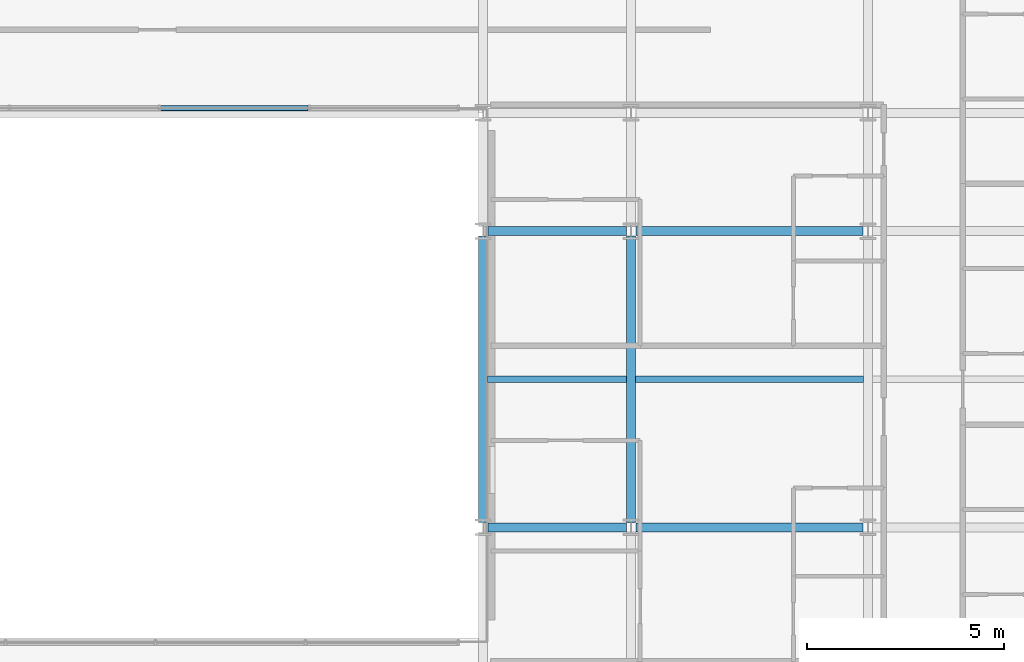
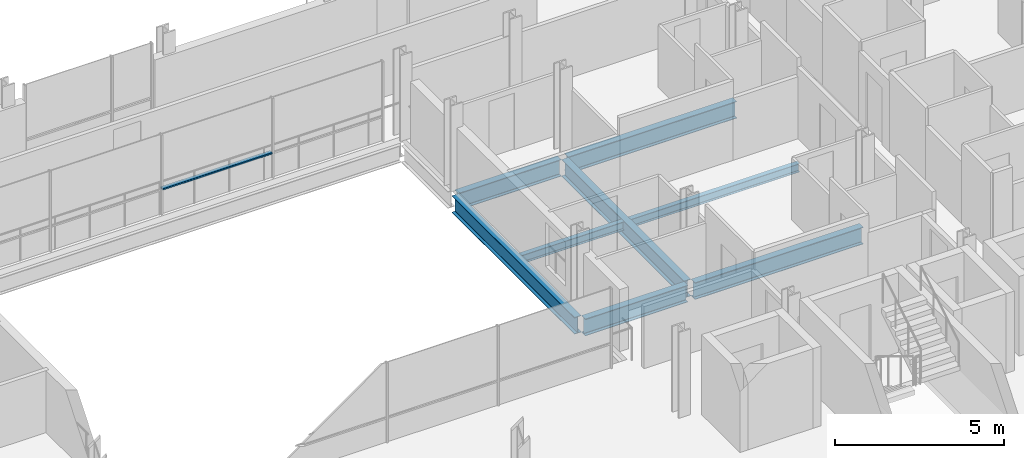
# One storey, part 16 of 38: 8 beams, 1 member, 1 element without a shape of its own.
"""IFC4 building model written with IfcOpenShell, lengths in metres."""

from ifc_helpers import new_model, si_unit, direction, frame, origin, origin_2d, place, context, subcontext, project, spatial, hollow_rectangle, i_section, extrude, material, layer, layer_set, material_profile, profile_set, type_object, element, aggregate, save


model = new_model("IFC4")

# Units and contexts
model_context = context("Model", 3, precision=1e-05, world=origin(), true_north=direction((0.0, 1.0)))
body_context = subcontext(model_context, "Body", "Model", "MODEL_VIEW")
ifc_project = project(units=[si_unit("LENGTHUNIT", "METRE"), si_unit("AREAUNIT", "SQUARE_METRE"), si_unit("VOLUMEUNIT", "CUBIC_METRE"), si_unit("PLANEANGLEUNIT", "RADIAN"), si_unit("MASSUNIT", "GRAM", prefix="KILO")], contexts=[model_context])

# Site, building, storey
site_placement = place(None, origin())
site = spatial("IfcSite", under=ifc_project, at=site_placement, CompositionType="ELEMENT")
building_placement = place(site_placement, origin())
building = spatial("IfcBuilding", under=site, at=building_placement, Name="Brevholm Reach", CompositionType="ELEMENT")
storey_placement = place(building_placement, frame((0.0, 0.0, 122.10009765625)))
storey = spatial("IfcBuildingStorey", under=building, at=storey_placement, Name="L36", CompositionType="ELEMENT", Elevation=122.10009765625)

# Beams
ifc_material_1 = material(Name="Structural Steel S355J2", Category="steel")
ifc_material_profile_1 = material_profile(ifc_material_1, i_section(OverallWidth=0.1650390625, OverallDepth=0.303466796875, WebThickness=0.006103515625, FlangeThickness=0.01025390625, FilletRadius=0.0087890625, at=origin_2d()), Name="UKB 305x165x40")
ifc_profile_set_1 = profile_set([ifc_material_profile_1], Name="Structural Steel S355J2")
beam_type_1 = type_object("IfcBeamType", Name="BM-B305", PredefinedType="BEAM", material=ifc_profile_set_1)
beam_1_placement = place(storey_placement, frame((38.364501953125, 19.75, -0.371826171875), z_axis=(1.0, 0.0, 0.0), x_axis=(0.0, 1.0, 0.0)))
element("IfcBeam", 1, at=beam_1_placement, inside=storey, type_object=beam_type_1, Name="L36 Composite Secondary Floor Beam", PredefinedType="BEAM", context=body_context, shape_type="SweptSolid", body=[
    extrude(i_section(OverallWidth=0.1650390625, OverallDepth=0.303466796875, WebThickness=0.006103515625, FlangeThickness=0.01025390625, FilletRadius=0.0087890625, at=origin_2d()), origin(), (0.0, 0.0, 1.0), 3.52099609375),
])
beam_2_placement = place(storey_placement, frame((42.114501953125, 19.75, -0.371826171875), z_axis=(1.0, 0.0, 0.0), x_axis=(0.0, 1.0, 0.0)))
element("IfcBeam", 2, at=beam_2_placement, inside=storey, type_object=beam_type_1, Name="L36 Composite Secondary Floor Beam", PredefinedType="BEAM", context=body_context, shape_type="SweptSolid", body=[
    extrude(i_section(OverallWidth=0.1650390625, OverallDepth=0.303466796875, WebThickness=0.006103515625, FlangeThickness=0.01025390625, FilletRadius=0.0087890625, at=origin_2d()), origin(), (0.0, 0.0, 1.0), 5.77099609375),
])
ifc_material_2 = material(Name="Structural Steel S355J2", Category="steel")
ifc_material_profile_2 = material_profile(ifc_material_2, i_section(OverallWidth=0.22900390625, OverallDepth=0.6123046875, WebThickness=0.011962890625, FlangeThickness=0.01953125, FilletRadius=0.0126953125, at=origin_2d()), Name="UKB 610x229x125")
ifc_profile_set_2 = profile_set([ifc_material_profile_2], Name="Structural Steel S355J2")
beam_type_2 = type_object("IfcBeamType", Name="BM-SP610", PredefinedType="SPANDREL", material=ifc_profile_set_2)
beam_3_placement = place(storey_placement, frame((38.3701171875, 16.0, -0.526123046875), z_axis=(1.0, 0.0, 0.0), x_axis=(0.0, 1.0, 0.0)))
element("IfcBeam", 3, at=beam_3_placement, inside=storey, type_object=beam_type_2, Name="L36 SP-01 Framing Beam", PredefinedType="SPANDREL", context=body_context, shape_type="SweptSolid", body=[
    extrude(i_section(OverallWidth=0.22900390625, OverallDepth=0.6123046875, WebThickness=0.011962890625, FlangeThickness=0.01953125, FilletRadius=0.0126953125, at=origin_2d()), origin(), (0.0, 0.0, 1.0), 3.509765625),
])
beam_4_placement = place(storey_placement, frame((42.1201171875, 16.0, -0.526123046875), z_axis=(1.0, 0.0, 0.0), x_axis=(0.0, 1.0, 0.0)))
element("IfcBeam", 4, at=beam_4_placement, inside=storey, type_object=beam_type_2, Name="L36 SP-01 Framing Beam", PredefinedType="SPANDREL", context=body_context, shape_type="SweptSolid", body=[
    extrude(i_section(OverallWidth=0.22900390625, OverallDepth=0.6123046875, WebThickness=0.011962890625, FlangeThickness=0.01953125, FilletRadius=0.0126953125, at=origin_2d()), origin(), (0.0, 0.0, 1.0), 5.759765625),
])
beam_5_placement = place(storey_placement, frame((38.3701171875, 23.5, -0.526123046875), z_axis=(1.0, 0.0, 0.0), x_axis=(0.0, 1.0, 0.0)))
element("IfcBeam", 5, at=beam_5_placement, inside=storey, type_object=beam_type_2, Name="L36 SP-01 Framing Beam", PredefinedType="SPANDREL", context=body_context, shape_type="SweptSolid", body=[
    extrude(i_section(OverallWidth=0.22900390625, OverallDepth=0.6123046875, WebThickness=0.011962890625, FlangeThickness=0.01953125, FilletRadius=0.0126953125, at=origin_2d()), origin(), (0.0, 0.0, 1.0), 3.509765625),
])
beam_6_placement = place(storey_placement, frame((42.1201171875, 23.5, -0.526123046875), z_axis=(1.0, 0.0, 0.0), x_axis=(0.0, 1.0, 0.0)))
element("IfcBeam", 6, at=beam_6_placement, inside=storey, type_object=beam_type_2, Name="L36 SP-01 Framing Beam", PredefinedType="SPANDREL", context=body_context, shape_type="SweptSolid", body=[
    extrude(i_section(OverallWidth=0.22900390625, OverallDepth=0.6123046875, WebThickness=0.011962890625, FlangeThickness=0.01953125, FilletRadius=0.0126953125, at=origin_2d()), origin(), (0.0, 0.0, 1.0), 5.759765625),
])
for number, where, z_axis, x_axis, name in (
    (7, (38.25, 16.1201171875, -0.526123046875), (0.0, 1.0, 0.0), (-1.0, 0.0, 0.0), "L36 SP-01 Framing Beam"),
    (8, (42.0, 16.1201171875, -0.526123046875), (0.0, 1.0, 0.0), (-1.0, 0.0, 0.0), "L36 SP-01 Framing Beam"),
):
    element("IfcBeam", number, at=place(storey_placement, frame(where, z_axis=z_axis, x_axis=x_axis)), inside=storey, type_object=beam_type_2, Name=name, PredefinedType="SPANDREL", context=body_context, shape_type="SweptSolid", body=[
        extrude(i_section(OverallWidth=0.22900390625, OverallDepth=0.6123046875, WebThickness=0.011962890625, FlangeThickness=0.01953125, FilletRadius=0.0126953125, at=origin_2d()), origin(), (0.0, 0.0, 1.0), 7.259765625),
    ])

# Curtain wall, member
ifc_material_3 = material(Name="Dark Anodised Aluminium 6063-T6 and Solar-Control Glass", Category="aluminium")
ifc_layer = layer(ifc_material_3, 0.139892578125)
ifc_layer_set = layer_set([ifc_layer], Name="Dark Anodised Aluminium 6063-T6 and Solar-Control Glass")
curtain_wall_type = type_object("IfcCurtainWallType", Name="CW-02", PredefinedType="NOTDEFINED", material=ifc_layer_set)
curtain_wall_placement = place(storey_placement, origin())
curtain_wall = element("IfcCurtainWall", 9, at=curtain_wall_placement, inside=storey, type_object=curtain_wall_type, Name="L36 Curtain Wall CW-02", PredefinedType="NOTDEFINED")
ifc_material_4 = material(Name="Dark Anodised Aluminium 6063-T6", Category="aluminium")
ifc_material_profile_3 = material_profile(ifc_material_4, hollow_rectangle(XDim=0.06005859375, YDim=0.139892578125, WallThickness=0.0048828125, InnerFilletRadius=0.0048828125, OuterFilletRadius=0.010009765625, at=origin_2d()), Name="RHS 140x60x5")
ifc_profile_set_3 = profile_set([ifc_material_profile_3], Name="Dark Anodised Aluminium 6063-T6")
member_type = type_object("IfcMemberType", Name="CWT-140", PredefinedType="NOTDEFINED", material=ifc_profile_set_3)
member_placement = place(storey_placement, frame((33.820068359375, 26.6201171875, 0.89990234375), z_axis=(-1.0, 0.0, 0.0), x_axis=(0.0, 0.0, 1.0)))
member = element("IfcMember", 10, at=member_placement, type_object=member_type, Name="CT-140 Transom 2.1", ObjectType="TRANSOM", PredefinedType="USERDEFINED", context=body_context, shape_type="SweptSolid", body=[
    extrude(hollow_rectangle(XDim=0.06005859375, YDim=0.139892578125, WallThickness=0.0048828125, InnerFilletRadius=0.0048828125, OuterFilletRadius=0.010009765625, at=origin_2d()), origin(), (0.0, 0.0, 1.0), 3.739990234375),
])
aggregate(curtain_wall, [member])

save(model, "model.ifc")
